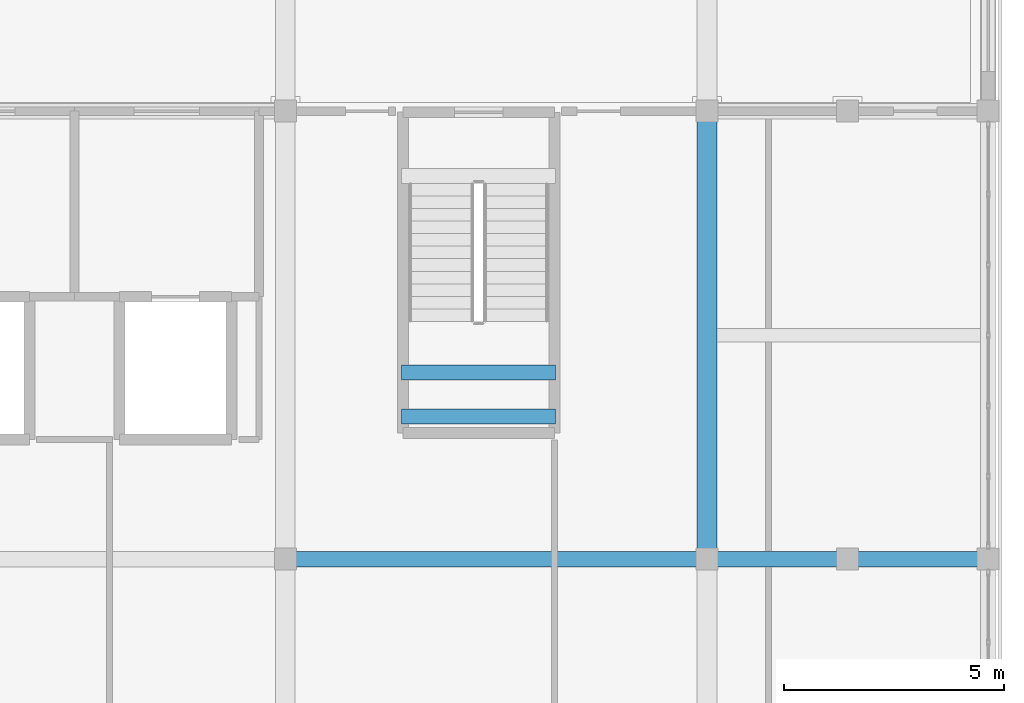
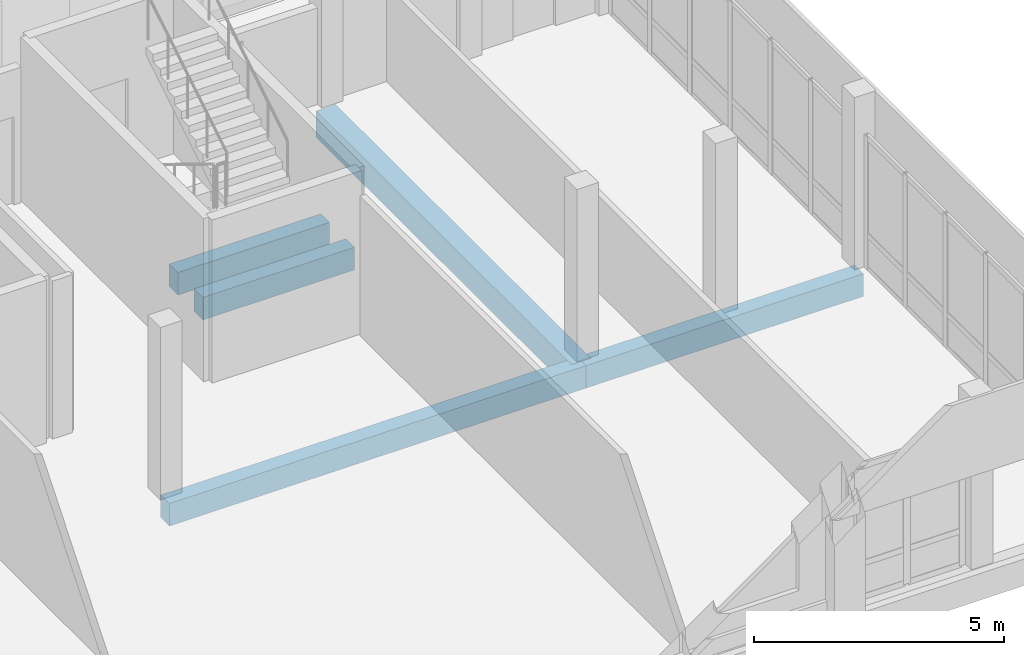
# One storey, part 9 of 29: 5 beams.
"""IFC4 building model written with IfcOpenShell, lengths in metres."""

import ifcopenshell
import ifcopenshell.guid

model = None  # the IFC model being written
_history = None  # IfcOwnerHistory: only IFC2X3 demands one
_inside = {}  # id of a spatial element -> (the spatial element, [elements in it])
_under = {}  # id of a project, library or spatial element -> (it, [spatial elements below it])
_declared = {}  # id of a project -> (the project, [libraries it declares])
_typed = {}  # id of a type object -> (the type object, [elements of that type])
_made_of = {}  # id of a material, layer set ... -> (it, [elements and type objects made of it])


def new_model(schema):
    """Start an empty IFC model of exactly this schema.

    Asked for "IFC4X3", IfcOpenShell would pick the latest addendum, in which some entities
    have other attributes; the version numbers below select the first issue.
    IFC2X3 requires an IfcOwnerHistory on every rooted entity: one is made here for all.
    """
    global model, _history
    if schema == "IFC4X3":
        model = ifcopenshell.file(schema_version=(4, 3, 0, 0))
    else:
        model = ifcopenshell.file(schema=schema)
    _inside.clear()
    _under.clear()
    _declared.clear()
    _typed.clear()
    _made_of.clear()
    _history = None
    if model.schema == "IFC2X3":
        org = make("IfcOrganization", Name="unknown")
        user = make(
            "IfcPersonAndOrganization",
            ThePerson=make("IfcPerson", FamilyName="unknown"),
            TheOrganization=org,
        )
        app = make(
            "IfcApplication",
            ApplicationDeveloper=org,
            Version="unknown",
            ApplicationFullName="unknown",
            ApplicationIdentifier="unknown",
        )
        _history = make(
            "IfcOwnerHistory",
            OwningUser=user,
            OwningApplication=app,
            ChangeAction="ADDED",
            CreationDate=0,
        )
    return model


def make(cls, **values):
    """One entity of the class cls with the attributes given. An attribute that is None is left unset."""
    return model.create_entity(
        cls, **{name: value for name, value in values.items() if value is not None}
    )


def rooted(cls, **values):
    """An entity with a GlobalId (a new one), such as an element, a storey or a relation."""
    return make(cls, GlobalId=ifcopenshell.guid.new(), OwnerHistory=_history, **values)


def si_unit(unit_type, name, prefix=None):
    """IfcSIUnit, for example si_unit("LENGTHUNIT", "METRE", prefix="MILLI")."""
    return make("IfcSIUnit", UnitType=unit_type, Prefix=prefix, Name=name)


def assignment(units):
    """IfcUnitAssignment: the units of a project."""
    return None if units is None else make("IfcUnitAssignment", Units=units)


def point(xyz):
    """IfcCartesianPoint."""
    return None if xyz is None else make("IfcCartesianPoint", Coordinates=xyz)


def direction(xyz):
    """IfcDirection."""
    return None if xyz is None else make("IfcDirection", DirectionRatios=xyz)


def frame(location, z_axis=None, x_axis=None):
    """IfcAxis2Placement3D, a coordinate frame: its origin and axes. An axis left out is left unset."""
    return make(
        "IfcAxis2Placement3D",
        Location=point(location),
        Axis=direction(z_axis),
        RefDirection=direction(x_axis),
    )


def frame_2d(location, x_axis=None):
    """IfcAxis2Placement2D, a coordinate frame in the plane: its origin and x axis."""
    return make(
        "IfcAxis2Placement2D", Location=point(location), RefDirection=direction(x_axis)
    )


def origin():
    """The frame at (0, 0, 0) with its axes left unset."""
    return frame((0.0, 0.0, 0.0))


def origin_2d():
    """The frame at (0, 0) in the plane with its x axis left unset."""
    return frame_2d((0.0, 0.0))


def place(relative_to, where):
    """IfcLocalPlacement: puts the frame where relative to a parent placement (None: the world)."""
    return make(
        "IfcLocalPlacement", PlacementRelTo=relative_to, RelativePlacement=where
    )


def context(
    kind, dimensions, precision=None, world=None, true_north=None, identifier=None
):
    """IfcGeometricRepresentationContext, for example the 3D "Model" context."""
    return make(
        "IfcGeometricRepresentationContext",
        ContextIdentifier=identifier,
        ContextType=kind,
        CoordinateSpaceDimension=dimensions,
        Precision=precision,
        WorldCoordinateSystem=world,
        TrueNorth=true_north,
    )


def subcontext(parent, identifier, kind, view, scale=None):
    """IfcGeometricRepresentationSubContext, for example "Body" below "Model"."""
    return make(
        "IfcGeometricRepresentationSubContext",
        ContextIdentifier=identifier,
        ContextType=kind,
        ParentContext=parent,
        TargetScale=scale,
        TargetView=view,
    )


def project(units=None, contexts=None):
    """IfcProject with its units and contexts."""
    return rooted(
        "IfcProject",
        Name="project",
        RepresentationContexts=contexts,
        UnitsInContext=assignment(units),
    )


def spatial(cls, under=None, at=None, **own):
    """A site, building, storey or space (cls), placed at a placement, below another one or the project."""
    s = rooted(cls, ObjectPlacement=at, **own)
    if under is not None:
        _under.setdefault(under.id(), (under, []))[1].append(s)
    return s


def profile(cls, at=None, kind="AREA", **sizes):
    """A parametric profile (cls). Its sizes go by their IFC names, for example OverallWidth=200.0."""
    return make(cls, ProfileType=kind, Position=at, **sizes)


def rectangle(**sizes):
    """IfcRectangleProfileDef."""
    return profile("IfcRectangleProfileDef", **sizes)


def extrude(swept, where, along, depth):
    """IfcExtrudedAreaSolid: the profile swept, set in the frame where, extruded along a direction by depth."""
    return make(
        "IfcExtrudedAreaSolid",
        SweptArea=swept,
        Position=where,
        ExtrudedDirection=direction(along),
        Depth=depth,
    )


def shape(context_of_items, identifier, shape_type, items):
    """IfcShapeRepresentation: the items that make up one representation, for example the "Body"."""
    return make(
        "IfcShapeRepresentation",
        ContextOfItems=context_of_items,
        RepresentationIdentifier=identifier,
        RepresentationType=shape_type,
        Items=items,
    )


def material(Name=None, Category=None):
    """IfcMaterial."""
    return make("IfcMaterial", Name=Name, Category=Category)


def material_profile(
    of_material, cross_section, Name=None, Category=None, Priority=None
):
    """IfcMaterialProfile: a cross section and its material."""
    return make(
        "IfcMaterialProfile",
        Name=Name,
        Material=of_material,
        Profile=cross_section,
        Priority=Priority,
        Category=Category,
    )


def profile_set(profiles, Name=None, composite=None):
    """IfcMaterialProfileSet."""
    return make(
        "IfcMaterialProfileSet",
        Name=Name,
        MaterialProfiles=profiles,
        CompositeProfile=composite,
    )


def made_of(thing, what):
    """Note that an element or type object is made of a material, layer set ...; save() writes the relation."""
    if what is not None:
        _made_of.setdefault(what.id(), (what, []))[1].append(thing)
    return thing


def type_object(cls, material=None, **own):
    """A type object (cls), such as IfcWallType, which elements share."""
    return made_of(rooted(cls, **own), material)


def element(
    cls,
    number,
    at=None,
    inside=None,
    cuts=None,
    type_object=None,
    material=None,
    context=None,
    identifier="Body",
    shape_type=None,
    held_by="IfcProductDefinitionShape",
    body=None,
    shapes=None,
    **own,
):
    """One element of the class cls, such as IfcWall. Its Tag is "e" and its number.

    at: its placement. inside: the storey or other place that contains it. cuts: it is an
    opening in that element (IfcRelVoidsElement). A single representation is given by context,
    identifier, shape_type and body (its items); several are given by shapes. held_by: the class
    of the entity that holds the representations. save() writes the other relations.
    """
    e = rooted(cls, Tag="e%d" % number, ObjectPlacement=at, **own)
    if body is not None:
        shapes = [shape(context, identifier, shape_type, body)]
    if shapes is not None:
        e.Representation = make(held_by, Representations=shapes)
    if inside is not None:
        _inside.setdefault(inside.id(), (inside, []))[1].append(e)
    if cuts is not None:
        rooted(
            "IfcRelVoidsElement", RelatingBuildingElement=cuts, RelatedOpeningElement=e
        )
    if type_object is not None:
        _typed.setdefault(type_object.id(), (type_object, []))[1].append(e)
    return made_of(e, material)


def aggregate(whole, parts):
    """IfcRelAggregates: a whole, such as a stair, and the parts it consists of."""
    return rooted("IfcRelAggregates", RelatingObject=whole, RelatedObjects=parts)


def save(model, path):
    """Write the relations noted so far, then the file.

    IfcRelAggregates (storeys below a building ...), IfcRelContainedInSpatialStructure (elements
    in a storey), IfcRelDefinesByType, IfcRelAssociatesMaterial and IfcRelDeclares: one each for
    every whole, place, type object, material and project.
    """
    for whole, parts in _under.values():
        aggregate(whole, parts)
    for where, things in _inside.values():
        rooted(
            "IfcRelContainedInSpatialStructure",
            RelatedElements=things,
            RelatingStructure=where,
        )
    for kind, things in _typed.values():
        rooted("IfcRelDefinesByType", RelatedObjects=things, RelatingType=kind)
    for what, things in _made_of.values():
        rooted("IfcRelAssociatesMaterial", RelatedObjects=things, RelatingMaterial=what)
    for by, libraries in _declared.values():
        rooted("IfcRelDeclares", RelatingContext=by, RelatedDefinitions=libraries)
    model.write(path)


model = new_model("IFC4")

# Units and contexts
model_context = context("Model", 3, precision=1e-05, world=origin(), true_north=direction((0.0, 1.0)))
body_context = subcontext(model_context, "Body", "Model", "MODEL_VIEW")
ifc_project = project(units=[si_unit("LENGTHUNIT", "METRE"), si_unit("AREAUNIT", "SQUARE_METRE"), si_unit("VOLUMEUNIT", "CUBIC_METRE"), si_unit("PLANEANGLEUNIT", "RADIAN"), si_unit("MASSUNIT", "GRAM", prefix="KILO")], contexts=[model_context])

# Site, building, storey
site_placement = place(None, origin())
site = spatial("IfcSite", under=ifc_project, at=site_placement, CompositionType="ELEMENT")
building_placement = place(site_placement, origin())
building = spatial("IfcBuilding", under=site, at=building_placement, Name="Vondelvale Polytechnic", CompositionType="ELEMENT")
storey_placement = place(building_placement, frame((0.0, 0.0, 26.39990234375)))
storey = spatial("IfcBuildingStorey", under=building, at=storey_placement, Name="L06", CompositionType="ELEMENT", Elevation=26.39990234375)

# Beams
ifc_material = material(Name="Concrete N40 (f'c = 40 MPa)", Category="concrete")
ifc_material_profile_1 = material_profile(ifc_material, rectangle(XDim=0.35009765625, YDim=0.550048828125, at=origin_2d()), Name="RC-BM-350x550")
ifc_profile_set_1 = profile_set([ifc_material_profile_1], Name="Concrete N40 (f'c = 40 MPa)")
beam_type_1 = type_object("IfcBeamType", Name="BM-RC350x550", PredefinedType="BEAM", material=ifc_profile_set_1)
for number, where, z_axis, x_axis, name in (
    (1, (31.449951171875, 14.449951171875, 1.625), (1.0, 0.0, 0.0), (0.0, 1.0, 0.0), "L06 STLD B-06"),
    (2, (31.449951171875, 13.449951171875, 1.625), (1.0, 0.0, 0.0), (0.0, 1.0, 0.0), "L06 STLD B-06"),
):
    element("IfcBeam", number, at=place(storey_placement, frame(where, z_axis=z_axis, x_axis=x_axis)), inside=storey, type_object=beam_type_1, Name=name, PredefinedType="BEAM", context=body_context, shape_type="SweptSolid", body=[
        extrude(rectangle(XDim=0.35009765625, YDim=0.550048828125, at=origin_2d()), origin(), (0.0, 0.0, 1.0), 3.5),
    ])
beam_1_placement = place(storey_placement, frame((28.800048828125, 10.199951171875, -0.5), z_axis=(1.0, 0.0, 0.0), x_axis=(0.0, 1.0, 0.0)))
element("IfcBeam", 3, at=beam_1_placement, inside=storey, type_object=beam_type_1, Name="L06 B B-06", PredefinedType="BEAM", context=body_context, shape_type="SweptSolid", body=[
    extrude(rectangle(XDim=0.35009765625, YDim=0.550048828125, at=origin_2d()), origin(), (0.0, 0.0, 1.0), 9.599853515625),
])
beam_2_placement = place(storey_placement, frame((38.39990234375, 10.199951171875, -0.5), z_axis=(1.0, 0.0, 0.0), x_axis=(0.0, 1.0, 0.0)))
element("IfcBeam", 4, at=beam_2_placement, inside=storey, type_object=beam_type_1, Name="L06 B B-06", PredefinedType="BEAM", context=body_context, shape_type="SweptSolid", body=[
    extrude(rectangle(XDim=0.35009765625, YDim=0.550048828125, at=origin_2d()), origin(), (0.0, 0.0, 1.0), 6.400146484375),
])
ifc_material_profile_2 = material_profile(ifc_material, rectangle(XDim=0.449951171875, YDim=0.64990234375, at=origin_2d()), Name="RC-BM-450x650")
ifc_profile_set_2 = profile_set([ifc_material_profile_2], Name="Concrete N40 (f'c = 40 MPa)")
beam_type_2 = type_object("IfcBeamType", Name="BM-RC450x650", PredefinedType="BEAM", material=ifc_profile_set_2)
beam_3_placement = place(storey_placement, frame((38.39990234375, 10.199951171875, -0.5498046875), z_axis=(0.0, 1.0, 0.0), x_axis=(-1.0, 0.0, 0.0)))
element("IfcBeam", 5, at=beam_3_placement, inside=storey, type_object=beam_type_2, Name="L06 B B-04", PredefinedType="BEAM", context=body_context, shape_type="SweptSolid", body=[
    extrude(rectangle(XDim=0.449951171875, YDim=0.64990234375, at=origin_2d()), origin(), (0.0, 0.0, 1.0), 10.199951171875),
])

save(model, "model.ifc")
